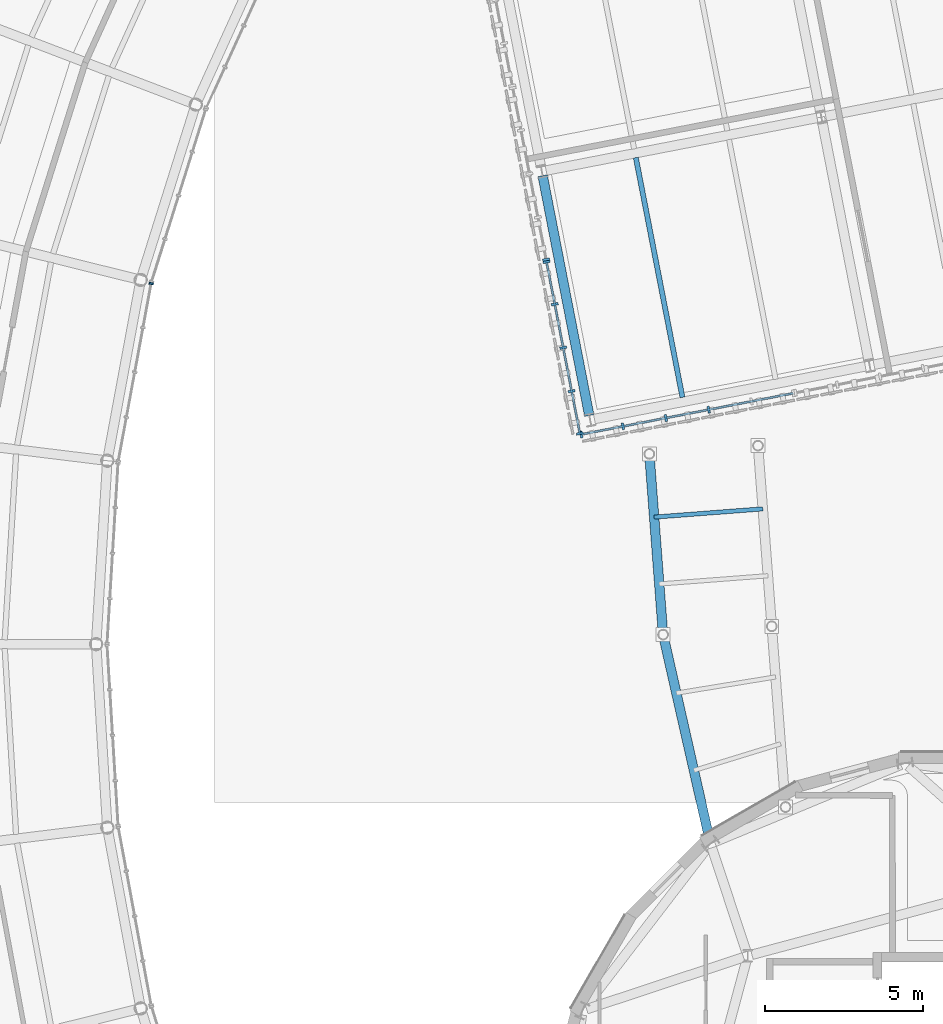
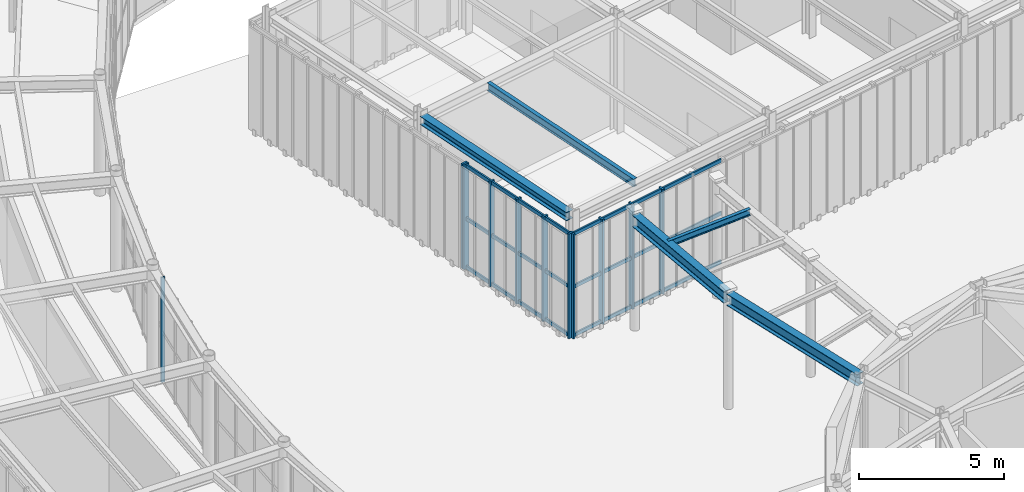
# One storey, part 25 of 97: 17 members, 5 beams, 4 elements without a shape of their own.
"""IFC4 building model written with IfcOpenShell, lengths in metres."""

from ifc_helpers import new_model, si_unit, direction, frame, origin, origin_2d, place, context, subcontext, project, spatial, rectangle, i_section, extrude, material, material_profile, profile_set, type_object, element, aggregate, save


model = new_model("IFC4")

# Units and contexts
model_context = context("Model", 3, precision=1e-05, world=origin(), true_north=direction((0.0, 1.0)))
body_context = subcontext(model_context, "Body", "Model", "MODEL_VIEW")
ifc_project = project(units=[si_unit("LENGTHUNIT", "METRE"), si_unit("AREAUNIT", "SQUARE_METRE"), si_unit("VOLUMEUNIT", "CUBIC_METRE"), si_unit("PLANEANGLEUNIT", "RADIAN"), si_unit("MASSUNIT", "GRAM", prefix="KILO")], contexts=[model_context])

# Site, building, storey
site_placement = place(None, origin())
site = spatial("IfcSite", under=ifc_project, at=site_placement, CompositionType="ELEMENT")
building_placement = place(site_placement, origin())
building = spatial("IfcBuilding", under=site, at=building_placement, Name="Varnklinge Art Gallery", CompositionType="ELEMENT")
storey_placement = place(building_placement, origin())
storey = spatial("IfcBuildingStorey", under=building, at=storey_placement, Name="L00", CompositionType="ELEMENT", Elevation=0.0)

# Beams
ifc_material_1 = material(Name="Steel S355", Category="steel")
ifc_material_profile_1 = material_profile(ifc_material_1, i_section(OverallWidth=0.159912109375, OverallDepth=0.330078125, WebThickness=0.007568359375, FlangeThickness=0.011474609375, FilletRadius=0.01806640625, at=origin_2d()), Name="IPE 330")
ifc_profile_set_1 = profile_set([ifc_material_profile_1], Name="Steel S355")
beam_type_1 = type_object("IfcBeamType", Name="JST-07", PredefinedType="JOIST", material=ifc_profile_set_1)
beam_1_placement = place(storey_placement, frame((66.791015625, 62.800048828125, 4.715087890625), z_axis=(-0.190822257393, 0.98162460548, 0.0), x_axis=(-0.98162460548, -0.190822257393, 0.0)))
element("IfcBeam", 1, at=beam_1_placement, inside=storey, type_object=beam_type_1, Name="L00 JST-07 JST-V4B-L01-0-0-1", PredefinedType="JOIST", context=body_context, shape_type="SweptSolid", body=[
    extrude(i_section(OverallWidth=0.159912109375, OverallDepth=0.330078125, WebThickness=0.007568359375, FlangeThickness=0.011474609375, FilletRadius=0.01806640625, at=origin_2d()), origin(), (0.0, 0.0, 1.0), 7.719970703125),
])
ifc_material_2 = material(Name="Steel S355", Category="steel")
ifc_material_profile_2 = material_profile(ifc_material_2, i_section(OverallWidth=0.135009765625, OverallDepth=0.27001953125, WebThickness=0.006591796875, FlangeThickness=0.01025390625, FilletRadius=0.014892578125, at=origin_2d()), Name="IPE 270")
ifc_profile_set_2 = profile_set([ifc_material_profile_2], Name="Steel S355")
beam_type_2 = type_object("IfcBeamType", Name="JST-09", PredefinedType="JOIST", material=ifc_profile_set_2)
beam_2_placement = place(storey_placement, frame((69.330322265625, 59.2763671875, 4.7451171875), z_axis=(-0.997113813668, -0.075921292083, 0.0), x_axis=(0.075921292083, -0.997113813668, 0.0)))
element("IfcBeam", 2, at=beam_2_placement, inside=storey, type_object=beam_type_2, Name="L00 JST-09 JST-BRG-1-4", PredefinedType="JOIST", context=body_context, shape_type="SweptSolid", body=[
    extrude(i_section(OverallWidth=0.135009765625, OverallDepth=0.27001953125, WebThickness=0.006591796875, FlangeThickness=0.01025390625, FilletRadius=0.014892578125, at=origin_2d()), origin(), (0.0, 0.0, 1.0), 3.444091796875),
])

# Curtain wall, members
ifc_material_3 = material(Name="Anodised Aluminium", Category="aluminium")
curtain_wall_type_1 = type_object("IfcCurtainWallType", Name="CW-L01", PredefinedType="USERDEFINED", material=ifc_material_3)
curtain_wall_1_placement = place(storey_placement, origin())
curtain_wall_1 = element("IfcCurtainWall", 3, at=curtain_wall_1_placement, inside=storey, type_object=curtain_wall_type_1, Name="L00 Curtain Wall CW-V4B-L00-1-1-1", ObjectType="UNITISED CURTAIN WALL", PredefinedType="USERDEFINED")
ifc_material_4 = material(Name="Anodised Aluminium", Category="aluminium")
ifc_material_profile_3 = material_profile(ifc_material_4, rectangle(XDim=0.074951171875, YDim=0.219970703125, at=origin_2d()), Name="ALU 75x220")
ifc_profile_set_3 = profile_set([ifc_material_profile_3], Name="Anodised Aluminium")
member_type_1 = type_object("IfcMemberType", Name="MUL-02", PredefinedType="MULLION", material=ifc_profile_set_3)
member_1_placement = place(storey_placement, frame((63.593017578125, 61.62841796875, 0.0), z_axis=(0.0, 0.0, 1.0), x_axis=(0.981627183448, 0.190808995377, 0.0)))
member_1 = element("IfcMember", 4, at=member_1_placement, type_object=member_type_1, Name="CW-V4B-L00-1-1-1 Mullion 1", PredefinedType="MULLION", context=body_context, shape_type="SweptSolid", body=[
    extrude(rectangle(XDim=0.074951171875, YDim=0.219970703125, at=origin_2d()), origin(), (0.0, 0.0, 1.0), 4.429931640625),
])
member_2_placement = place(storey_placement, frame((64.910888671875, 61.884521484375, 0.0), z_axis=(0.0, 0.0, 1.0), x_axis=(0.981627183448, 0.190808995377, 0.0)))
member_2 = element("IfcMember", 5, at=member_2_placement, type_object=member_type_1, Name="CW-V4B-L00-1-1-1 Mullion 2", PredefinedType="MULLION", context=body_context, shape_type="SweptSolid", body=[
    extrude(rectangle(XDim=0.074951171875, YDim=0.219970703125, at=origin_2d()), origin(), (0.0, 0.0, 1.0), 4.429931640625),
])
member_3_placement = place(storey_placement, frame((66.265625, 62.147705078125, 0.0), z_axis=(0.0, 0.0, 1.0), x_axis=(0.981627183448, 0.190808995377, 0.0)))
member_3 = element("IfcMember", 6, at=member_3_placement, type_object=member_type_1, Name="CW-V4B-L00-1-1-1 Mullion 3", PredefinedType="MULLION", context=body_context, shape_type="SweptSolid", body=[
    extrude(rectangle(XDim=0.074951171875, YDim=0.219970703125, at=origin_2d()), origin(), (0.0, 0.0, 1.0), 4.429931640625),
])
member_4_placement = place(storey_placement, frame((67.6201171875, 62.4111328125, 0.0), z_axis=(0.0, 0.0, 1.0), x_axis=(0.981627183448, 0.190808995377, 0.0)))
member_4 = element("IfcMember", 7, at=member_4_placement, type_object=member_type_1, Name="CW-V4B-L00-1-1-1 Mullion 4", PredefinedType="MULLION", context=body_context, shape_type="SweptSolid", body=[
    extrude(rectangle(XDim=0.074951171875, YDim=0.219970703125, at=origin_2d()), origin(), (0.0, 0.0, 1.0), 4.429931640625),
])

# Curtain wall, member
ifc_material_5 = material(Name="Anodised Aluminium", Category="aluminium")
curtain_wall_type_2 = type_object("IfcCurtainWallType", Name="CW-L05", PredefinedType="USERDEFINED", material=ifc_material_5)
curtain_wall_2_placement = place(storey_placement, origin())
curtain_wall_2 = element("IfcCurtainWall", 8, at=curtain_wall_2_placement, inside=storey, type_object=curtain_wall_type_2, Name="L00 Curtain Wall CW-V4B-L00-4-1-2", ObjectType="UNITISED CURTAIN WALL", PredefinedType="USERDEFINED")
member_5_placement = place(storey_placement, frame((62.480712890625, 67.155029296875, 0.0), z_axis=(0.0, 0.0, 1.0), x_axis=(0.190808995377, -0.981627183448, 0.0)))
member_5 = element("IfcMember", 9, at=member_5_placement, type_object=member_type_1, Name="CW-V4B-L00-4-1-2 Mullion 5", PredefinedType="MULLION", context=body_context, shape_type="SweptSolid", body=[
    extrude(rectangle(XDim=0.074951171875, YDim=0.219970703125, at=origin_2d()), origin(), (0.0, 0.0, 1.0), 4.429931640625),
])
aggregate(curtain_wall_2, [member_5])

# Curtain wall, members
curtain_wall_3_placement = place(storey_placement, origin())
curtain_wall_3 = element("IfcCurtainWall", 10, at=curtain_wall_3_placement, inside=storey, type_object=curtain_wall_type_2, Name="L00 Curtain Wall CW-V4B-L00-4-1-3", ObjectType="UNITISED CURTAIN WALL", PredefinedType="USERDEFINED")
member_6_placement = place(storey_placement, frame((62.4951171875, 67.08154296875, 0.0), z_axis=(0.0, 0.0, 1.0), x_axis=(0.190808995377, -0.981627183448, 0.0)))
member_6 = element("IfcMember", 11, at=member_6_placement, type_object=member_type_1, Name="CW-V4B-L00-4-1-3 Mullion 1", PredefinedType="MULLION", context=body_context, shape_type="SweptSolid", body=[
    extrude(rectangle(XDim=0.074951171875, YDim=0.219970703125, at=origin_2d()), origin(), (0.0, 0.0, 1.0), 4.429931640625),
])
member_7_placement = place(storey_placement, frame((62.7548828125, 65.743896484375, 0.0), z_axis=(0.0, 0.0, 1.0), x_axis=(0.190808995377, -0.981627183448, 0.0)))
member_7 = element("IfcMember", 12, at=member_7_placement, type_object=member_type_1, Name="CW-V4B-L00-4-1-3 Mullion 2", PredefinedType="MULLION", context=body_context, shape_type="SweptSolid", body=[
    extrude(rectangle(XDim=0.074951171875, YDim=0.219970703125, at=origin_2d()), origin(), (0.0, 0.0, 1.0), 4.429931640625),
])
member_8_placement = place(storey_placement, frame((63.022216796875, 64.369873046875, 0.0), z_axis=(0.0, 0.0, 1.0), x_axis=(0.190808995377, -0.981627183448, 0.0)))
member_8 = element("IfcMember", 13, at=member_8_placement, type_object=member_type_1, Name="CW-V4B-L00-4-1-3 Mullion 3", PredefinedType="MULLION", context=body_context, shape_type="SweptSolid", body=[
    extrude(rectangle(XDim=0.074951171875, YDim=0.219970703125, at=origin_2d()), origin(), (0.0, 0.0, 1.0), 4.429931640625),
])
member_9_placement = place(storey_placement, frame((63.289306640625, 62.99560546875, 0.0), z_axis=(0.0, 0.0, 1.0), x_axis=(0.190808995377, -0.981627183448, 0.0)))
member_9 = element("IfcMember", 14, at=member_9_placement, type_object=member_type_1, Name="CW-V4B-L00-4-1-3 Mullion 4", PredefinedType="MULLION", context=body_context, shape_type="SweptSolid", body=[
    extrude(rectangle(XDim=0.074951171875, YDim=0.219970703125, at=origin_2d()), origin(), (0.0, 0.0, 1.0), 4.429931640625),
])
member_10_placement = place(storey_placement, frame((63.549072265625, 61.657958984375, 0.0), z_axis=(0.0, 0.0, 1.0), x_axis=(0.190808995377, -0.981627183448, 0.0)))
member_10 = element("IfcMember", 15, at=member_10_placement, type_object=member_type_1, Name="CW-V4B-L00-4-1-3 Mullion 5", PredefinedType="MULLION", context=body_context, shape_type="SweptSolid", body=[
    extrude(rectangle(XDim=0.074951171875, YDim=0.219970703125, at=origin_2d()), origin(), (0.0, 0.0, 1.0), 4.429931640625),
])

# Curtain wall, member
ifc_material_6 = material(Name="Anodised Aluminium", Category="aluminium")
curtain_wall_type_3 = type_object("IfcCurtainWallType", Name="CW-R03", PredefinedType="USERDEFINED", material=ifc_material_6)
curtain_wall_4_placement = place(storey_placement, origin())
curtain_wall_4 = element("IfcCurtainWall", 16, at=curtain_wall_4_placement, inside=storey, type_object=curtain_wall_type_3, Name="L00 Curtain Wall CW-V2I-L00-25", ObjectType="UNITISED CURTAIN WALL", PredefinedType="USERDEFINED")
ifc_material_7 = material(Name="Anodised Aluminium", Category="aluminium")
ifc_material_profile_4 = material_profile(ifc_material_7, rectangle(XDim=0.06005859375, YDim=0.139892578125, at=origin_2d()), Name="ALU 60x140")
ifc_profile_set_4 = profile_set([ifc_material_profile_4], Name="Anodised Aluminium")
member_type_2 = type_object("IfcMemberType", Name="MUL-03", PredefinedType="MULLION", material=ifc_profile_set_4)
member_11_placement = place(storey_placement, frame((50.00146484375, 66.398193359375, 0.0), z_axis=(0.0, 0.0, 1.0), x_axis=(0.181549039717, 0.983381892338, 0.0)))
member_11 = element("IfcMember", 17, at=member_11_placement, type_object=member_type_2, Name="CW-V2I-L00-25 Mullion 5", PredefinedType="MULLION", context=body_context, shape_type="SweptSolid", body=[
    extrude(rectangle(XDim=0.06005859375, YDim=0.139892578125, at=origin_2d()), origin(), (0.0, 0.0, 1.0), 4.429931640625),
])
aggregate(curtain_wall_4, [member_11])

# Beams
ifc_material_8 = material(Name="Steel S355", Category="steel")
ifc_material_profile_5 = material_profile(ifc_material_8, i_section(OverallWidth=0.300048828125, OverallDepth=0.489990234375, WebThickness=0.011962890625, FlangeThickness=0.02294921875, FilletRadius=0.027099609375, at=origin_2d()), Name="HEA 500")
ifc_profile_set_5 = profile_set([ifc_material_profile_5], Name="Steel S355")
beam_type_3 = type_object("IfcBeamType", Name="SPB-01", PredefinedType="SPANDREL", material=ifc_profile_set_5)
beam_3_placement = place(storey_placement, frame((67.6640625, 48.753173828125, 4.635009765625), z_axis=(-0.221123227965, 0.975245875692, 0.0), x_axis=(-0.975245875692, -0.221123227965, 0.0)))
element("IfcBeam", 18, at=beam_3_placement, inside=storey, type_object=beam_type_3, Name="L00 SPB-01 BM-BRG-1-R1", PredefinedType="SPANDREL", context=body_context, shape_type="SweptSolid", body=[
    extrude(i_section(OverallWidth=0.300048828125, OverallDepth=0.489990234375, WebThickness=0.011962890625, FlangeThickness=0.02294921875, FilletRadius=0.027099609375, at=origin_2d()), origin(), (0.0, 0.0, 1.0), 6.655517578125),
])
beam_4_placement = place(storey_placement, frame((66.17431640625, 55.362060546875, 4.635009765625), z_axis=(-0.075877545571, 0.997117143609, 0.0), x_axis=(-0.997117143609, -0.075877545571, 0.0)))
element("IfcBeam", 19, at=beam_4_placement, inside=storey, type_object=beam_type_3, Name="L00 SPB-01 BM-BRG-1-R2", PredefinedType="SPANDREL", context=body_context, shape_type="SweptSolid", body=[
    extrude(i_section(OverallWidth=0.300048828125, OverallDepth=0.489990234375, WebThickness=0.011962890625, FlangeThickness=0.02294921875, FilletRadius=0.027099609375, at=origin_2d()), origin(), (0.0, 0.0, 1.0), 5.608154296875),
])
ifc_material_9 = material(Name="Steel S355", Category="steel")
ifc_material_profile_6 = material_profile(ifc_material_9, i_section(OverallWidth=0.300048828125, OverallDepth=0.35009765625, WebThickness=0.010009765625, FlangeThickness=0.017578125, FilletRadius=0.027099609375, at=origin_2d()), Name="HEA 360")
ifc_profile_set_6 = profile_set([ifc_material_profile_6], Name="Steel S355")
beam_type_4 = type_object("IfcBeamType", Name="SPB-04", PredefinedType="SPANDREL", material=ifc_profile_set_6)
beam_5_placement = place(storey_placement, frame((63.845947265625, 62.2275390625, 4.705078125), z_axis=(-0.190816333803, 0.981625756974, 0.0), x_axis=(-0.981625756974, -0.190816333803, 0.0)))
element("IfcBeam", 20, at=beam_5_placement, inside=storey, type_object=beam_type_4, Name="L00 SPB-04 BM-V4B-L01-V0-0", PredefinedType="SPANDREL", context=body_context, shape_type="SweptSolid", body=[
    extrude(i_section(OverallWidth=0.300048828125, OverallDepth=0.35009765625, WebThickness=0.010009765625, FlangeThickness=0.017578125, FilletRadius=0.027099609375, at=origin_2d()), origin(), (0.0, 0.0, 1.0), 7.72021484375),
])

# Member
ifc_material_10 = material(Name="Anodised Aluminium", Category="aluminium")
ifc_material_profile_7 = material_profile(ifc_material_10, rectangle(XDim=0.06494140625, YDim=0.14990234375, at=origin_2d()), Name="ALU 65x150")
ifc_profile_set_7 = profile_set([ifc_material_profile_7], Name="Anodised Aluminium")
member_type_3 = type_object("IfcMemberType", Name="TRN-01", PredefinedType="USERDEFINED", material=ifc_profile_set_7)
member_12_placement = place(storey_placement, frame((63.593017578125, 61.62841796875, 0.074951171875), z_axis=(0.981628419203, 0.190802637855, 0.0), x_axis=(-0.190802637855, 0.981628419203, 0.0)))
member_12 = element("IfcMember", 21, at=member_12_placement, type_object=member_type_3, Name="CW-V4B-L00-1-1-1 Transom 1", ObjectType="TRANSOM", PredefinedType="USERDEFINED", context=body_context, shape_type="SweptSolid", body=[
    extrude(rectangle(XDim=0.06494140625, YDim=0.14990234375, at=origin_2d()), origin(), (0.0, 0.0, 1.0), 6.8251953125),
])

member_13_placement = place(storey_placement, frame((63.593017578125, 61.62841796875, 2.12646484375), z_axis=(0.981628419203, 0.190802637855, 0.0), x_axis=(-0.190802637855, 0.981628419203, 0.0)))
member_13 = element("IfcMember", 22, at=member_13_placement, type_object=member_type_3, Name="CW-V4B-L00-1-1-1 Transom 2", ObjectType="TRANSOM", PredefinedType="USERDEFINED", context=body_context, shape_type="SweptSolid", body=[
    extrude(rectangle(XDim=0.06494140625, YDim=0.14990234375, at=origin_2d()), origin(), (0.0, 0.0, 1.0), 6.8251953125),
])

member_14_placement = place(storey_placement, frame((63.593017578125, 61.62841796875, 4.35498046875), z_axis=(0.981628419203, 0.190802637855, 0.0), x_axis=(-0.190802637855, 0.981628419203, 0.0)))
member_14 = element("IfcMember", 23, at=member_14_placement, type_object=member_type_3, Name="CW-V4B-L00-1-1-1 Transom 3", ObjectType="TRANSOM", PredefinedType="USERDEFINED", context=body_context, shape_type="SweptSolid", body=[
    extrude(rectangle(XDim=0.06494140625, YDim=0.14990234375, at=origin_2d()), origin(), (0.0, 0.0, 1.0), 6.8251953125),
])

aggregate(curtain_wall_1, [member_1, member_2, member_3, member_4, member_12, member_13, member_14])

member_15_placement = place(storey_placement, frame((62.4951171875, 67.08154296875, 0.074951171875), z_axis=(0.190759664241, -0.981636771163, 0.0), x_axis=(0.981636771163, 0.190759664241, 0.0)))
member_15 = element("IfcMember", 24, at=member_15_placement, type_object=member_type_3, Name="CW-V4B-L00-4-1-3 Transom 1", ObjectType="TRANSOM", PredefinedType="USERDEFINED", context=body_context, shape_type="SweptSolid", body=[
    extrude(rectangle(XDim=0.06494140625, YDim=0.14990234375, at=origin_2d()), origin(), (0.0, 0.0, 1.0), 5.525146484375),
])

member_16_placement = place(storey_placement, frame((62.4951171875, 67.08154296875, 2.12646484375), z_axis=(0.190759664241, -0.981636771163, 0.0), x_axis=(0.981636771163, 0.190759664241, 0.0)))
member_16 = element("IfcMember", 25, at=member_16_placement, type_object=member_type_3, Name="CW-V4B-L00-4-1-3 Transom 2", ObjectType="TRANSOM", PredefinedType="USERDEFINED", context=body_context, shape_type="SweptSolid", body=[
    extrude(rectangle(XDim=0.06494140625, YDim=0.14990234375, at=origin_2d()), origin(), (0.0, 0.0, 1.0), 5.525146484375),
])

member_17_placement = place(storey_placement, frame((62.4951171875, 67.08154296875, 4.35498046875), z_axis=(0.190759664241, -0.981636771163, 0.0), x_axis=(0.981636771163, 0.190759664241, 0.0)))
member_17 = element("IfcMember", 26, at=member_17_placement, type_object=member_type_3, Name="CW-V4B-L00-4-1-3 Transom 3", ObjectType="TRANSOM", PredefinedType="USERDEFINED", context=body_context, shape_type="SweptSolid", body=[
    extrude(rectangle(XDim=0.06494140625, YDim=0.14990234375, at=origin_2d()), origin(), (0.0, 0.0, 1.0), 5.525146484375),
])

aggregate(curtain_wall_3, [member_6, member_7, member_8, member_9, member_10, member_15, member_16, member_17])

save(model, "model.ifc")
